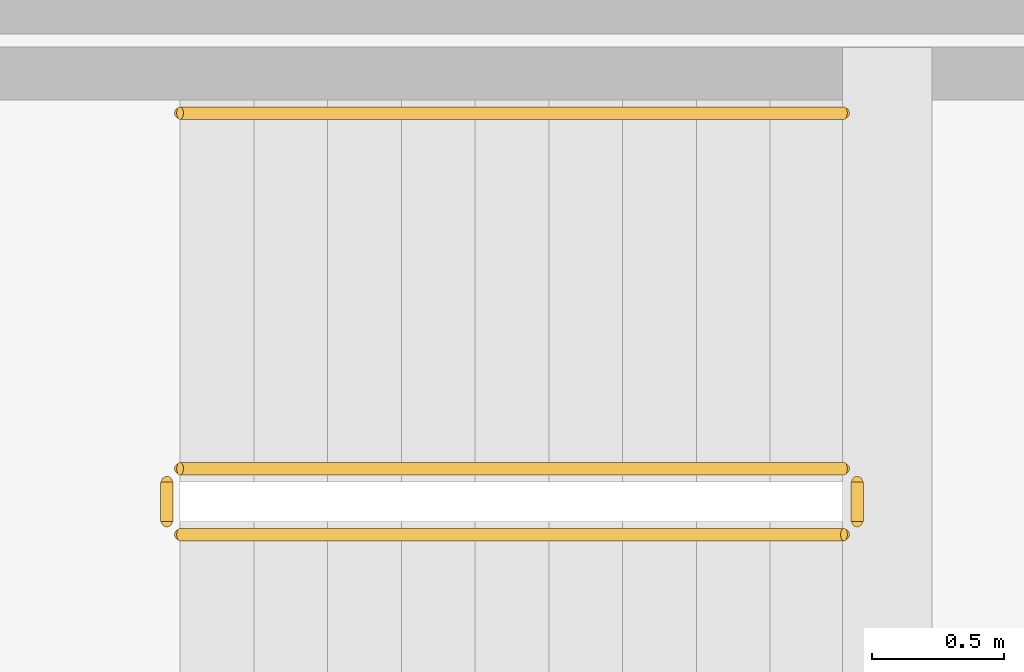
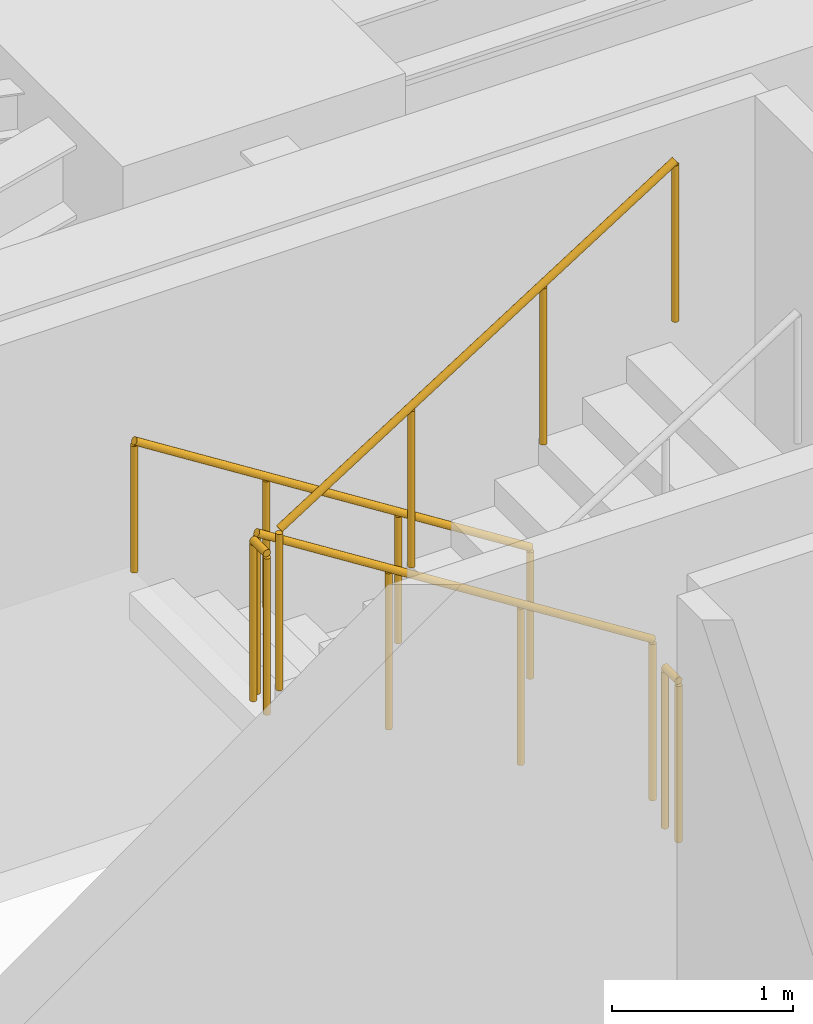
# One storey, part 12 of 13: 5 railings.
"""IFC4 building model written with IfcOpenShell, lengths in metres."""

from ifc_helpers import new_model, si_unit, direction, frame, origin, origin_2d, place, context, subcontext, project, spatial, circle, extrude, material, type_object, element, save


model = new_model("IFC4")

# Units and contexts
model_context = context("Model", 3, precision=1e-05, world=origin(), true_north=direction((0.0, 1.0)))
body_context = subcontext(model_context, "Body", "Model", "MODEL_VIEW")
ifc_project = project(units=[si_unit("LENGTHUNIT", "METRE"), si_unit("AREAUNIT", "SQUARE_METRE"), si_unit("VOLUMEUNIT", "CUBIC_METRE"), si_unit("PLANEANGLEUNIT", "RADIAN"), si_unit("MASSUNIT", "GRAM", prefix="KILO")], contexts=[model_context])

# Site, building, storey
site_placement = place(None, origin())
site = spatial("IfcSite", under=ifc_project, at=site_placement, CompositionType="ELEMENT")
building_placement = place(site_placement, origin())
building = spatial("IfcBuilding", under=site, at=building_placement, Name="Kinhvarn Gate Tower", CompositionType="ELEMENT")
storey_placement = place(building_placement, frame((0.0, 0.0, 241.300048828125)))
storey = spatial("IfcBuildingStorey", under=building, at=storey_placement, Name="L64", CompositionType="ELEMENT", Elevation=241.300048828125)

# Railings
ifc_material = material(Name="Steel S355", Category="steel")
railing_type_1 = type_object("IfcRailingType", Name="RL-ST-GRD", PredefinedType="BALUSTRADE", material=ifc_material)
railing_1_placement = place(storey_placement, frame((12.0, 34.300048828125, 0.177490234375)))
element("IfcRailing", 1, at=railing_1_placement, inside=storey, type_object=railing_type_1, Name="L64 ST2 stair guard 1", PredefinedType="BALUSTRADE", context=body_context, shape_type="SweptSolid", body=[
    extrude(circle(Radius=0.02392578125, at=origin_2d()), frame((0.0, 0.0, 1.076171875), z_axis=(-0.84460694969, 0.0, 0.535386869969), x_axis=(0.0, -1.0, 0.0)), (0.0, 0.0, 1.0), 2.983642578125),
    extrude(circle(Radius=0.02099609375, at=origin_2d()), origin(), (0.0, 0.0, 1.0), 1.052001953125),
    extrude(circle(Radius=0.02099609375, at=origin_2d()), frame((-0.840087890625, 0.0, 0.532470703125)), (0.0, 0.0, 1.0), 1.052001953125),
    extrude(circle(Radius=0.02099609375, at=origin_2d()), frame((-1.679931640625, 0.0, 1.06494140625)), (0.0, 0.0, 1.0), 1.052001953125),
    extrude(circle(Radius=0.02099609375, at=origin_2d()), frame((-2.52001953125, 0.0, 1.597412109375)), (0.0, 0.0, 1.0), 1.052001953125),
])
railing_2_placement = place(storey_placement, frame((9.429931640625, 34.25, 1.77490234375)))
element("IfcRailing", 2, at=railing_2_placement, inside=storey, type_object=railing_type_1, Name="L64 ST2 stair guard 2", PredefinedType="BALUSTRADE", context=body_context, shape_type="SweptSolid", body=[
    extrude(circle(Radius=0.02392578125, at=origin_2d()), frame((0.0, 0.0, 1.076171875), z_axis=(0.0, -1.0, 0.0), x_axis=(1.0, 0.0, 0.0)), (0.0, 0.0, 1.0), 0.14990234375),
    extrude(circle(Radius=0.02099609375, at=origin_2d()), origin(), (0.0, 0.0, 1.0), 1.052001953125),
    extrude(circle(Radius=0.02099609375, at=origin_2d()), frame((0.0, -0.14990234375, 0.0)), (0.0, 0.0, 1.0), 1.052001953125),
])
railing_3_placement = place(storey_placement, frame((9.47998046875, 34.050048828125, 1.952392578125)))
element("IfcRailing", 3, at=railing_3_placement, inside=storey, type_object=railing_type_1, Name="L64 ST2 stair guard 3", PredefinedType="BALUSTRADE", context=body_context, shape_type="SweptSolid", body=[
    extrude(circle(Radius=0.02392578125, at=origin_2d()), frame((0.0, 0.0, 1.076171875), z_axis=(0.84456994832, 0.0, 0.535445237532), x_axis=(0.0, 1.0, 0.0)), (0.0, 0.0, 1.0), 2.98388671875),
    extrude(circle(Radius=0.02099609375, at=origin_2d()), origin(), (0.0, 0.0, 1.0), 1.052001953125),
    extrude(circle(Radius=0.02099609375, at=origin_2d()), frame((0.840087890625, 0.0, 0.532470703125)), (0.0, 0.0, 1.0), 1.052001953125),
    extrude(circle(Radius=0.02099609375, at=origin_2d()), frame((1.679931640625, 0.0, 1.065185546875)), (0.0, 0.0, 1.0), 1.052001953125),
    extrude(circle(Radius=0.02099609375, at=origin_2d()), frame((2.52001953125, 0.0, 1.59765625)), (0.0, 0.0, 1.0), 1.052001953125),
])
railing_4_placement = place(storey_placement, frame((12.050048828125, 34.25, 0.0)))
element("IfcRailing", 4, at=railing_4_placement, inside=storey, type_object=railing_type_1, Name="L64 ST2 stair guard 4", PredefinedType="BALUSTRADE", context=body_context, shape_type="SweptSolid", body=[
    extrude(circle(Radius=0.02392578125, at=origin_2d()), frame((0.0, 0.0, 1.076171875), z_axis=(0.0, -1.0, 0.0), x_axis=(1.0, 0.0, 0.0)), (0.0, 0.0, 1.0), 0.14990234375),
    extrude(circle(Radius=0.02099609375, at=origin_2d()), origin(), (0.0, 0.0, 1.0), 1.052001953125),
    extrude(circle(Radius=0.02099609375, at=origin_2d()), frame((0.0, -0.14990234375, 0.0)), (0.0, 0.0, 1.0), 1.052001953125),
])
railing_type_2 = type_object("IfcRailingType", Name="RL-ST-HND", PredefinedType="HANDRAIL", material=ifc_material)
railing_5_placement = place(storey_placement, frame((12.0, 35.64990234375, 0.177490234375)))
element("IfcRailing", 5, at=railing_5_placement, inside=storey, type_object=railing_type_2, Name="L64 ST2 stair handrail 1", PredefinedType="HANDRAIL", context=body_context, shape_type="SweptSolid", body=[
    extrude(circle(Radius=0.02392578125, at=origin_2d()), frame((0.0, 0.0, 0.8759765625), z_axis=(-0.84460694969, 0.0, 0.535386869969), x_axis=(0.0, -1.0, 0.0)), (0.0, 0.0, 1.0), 2.983642578125),
    extrude(circle(Radius=0.02099609375, at=origin_2d()), origin(), (0.0, 0.0, 1.0), 0.851806640625),
    extrude(circle(Radius=0.02099609375, at=origin_2d()), frame((-0.840087890625, 0.0, 0.532470703125)), (0.0, 0.0, 1.0), 0.851806640625),
    extrude(circle(Radius=0.02099609375, at=origin_2d()), frame((-1.679931640625, 0.0, 1.06494140625)), (0.0, 0.0, 1.0), 0.851806640625),
    extrude(circle(Radius=0.02099609375, at=origin_2d()), frame((-2.52001953125, 0.0, 1.597412109375)), (0.0, 0.0, 1.0), 0.851806640625),
])

save(model, "model.ifc")
